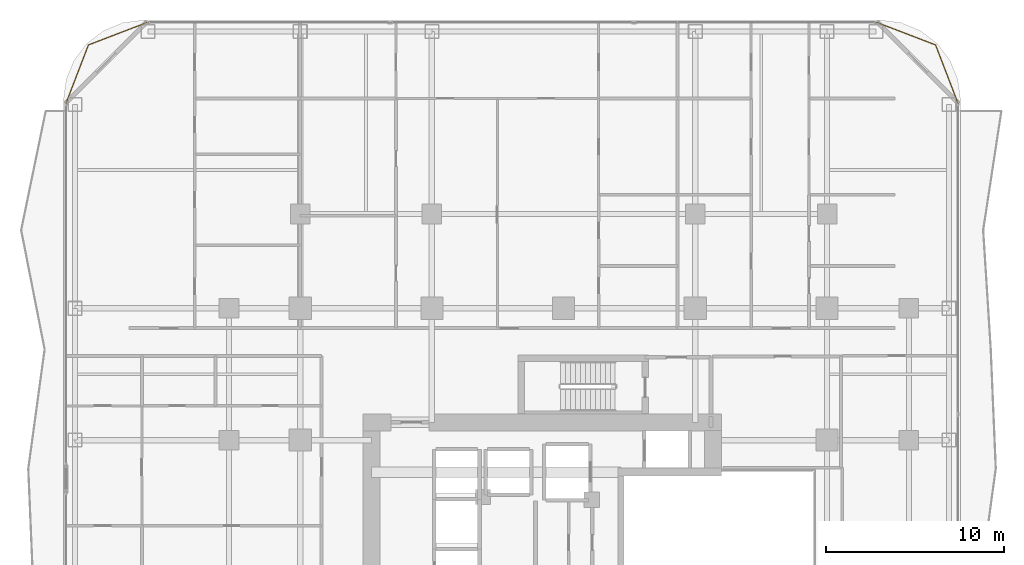
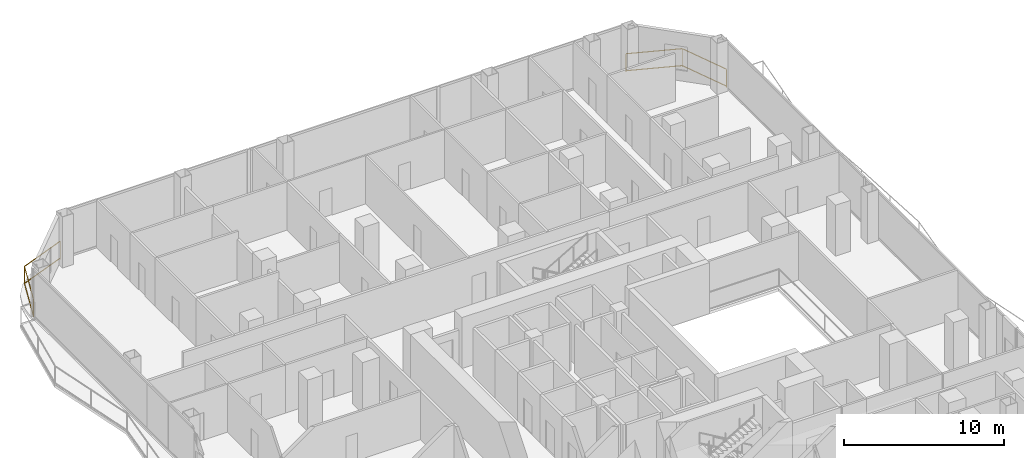
# One storey, part 28 of 28: 2 railings.
"""IFC4 building model written with IfcOpenShell, lengths in metres."""

from ifc_helpers import new_model, si_unit, direction, frame, origin, origin_2d, place, context, subcontext, project, spatial, rectangle, extrude, material, type_object, element, save


model = new_model("IFC4")

# Units and contexts
model_context = context("Model", 3, precision=1e-05, world=origin(), true_north=direction((0.0, 1.0)))
body_context = subcontext(model_context, "Body", "Model", "MODEL_VIEW")
ifc_project = project(units=[si_unit("LENGTHUNIT", "METRE"), si_unit("AREAUNIT", "SQUARE_METRE"), si_unit("VOLUMEUNIT", "CUBIC_METRE"), si_unit("PLANEANGLEUNIT", "RADIAN"), si_unit("MASSUNIT", "GRAM", prefix="KILO")], contexts=[model_context])

# Site, building, storey
site_placement = place(None, origin())
site = spatial("IfcSite", under=ifc_project, at=site_placement, CompositionType="ELEMENT")
building_placement = place(site_placement, origin())
building = spatial("IfcBuilding", under=site, at=building_placement, Name="Khorvyn Point Tower", CompositionType="ELEMENT")
storey_placement = place(building_placement, frame((0.0, 0.0, 100.800048828125)))
storey = spatial("IfcBuildingStorey", under=building, at=storey_placement, Name="L25", CompositionType="ELEMENT", Elevation=100.800048828125)

# Railings
ifc_material = material(Name="Anodised aluminium 6063-T6 and laminated safety glass", Category="aluminium")
railing_type = type_object("IfcRailingType", Name="Laminated Glass and Aluminium Balcony Guardrail 1400", PredefinedType="BALUSTRADE", material=ifc_material)
railing_1_placement = place(storey_placement, frame((-23.370849609375, 30.8740234375, 0.0)))
element("IfcRailing", 1, at=railing_1_placement, inside=storey, type_object=railing_type, Name="L25 Rounded Corner Edge Guardrail NW", PredefinedType="BALUSTRADE", context=body_context, shape_type="SweptSolid", body=[
    extrude(rectangle(XDim=0.048095703125, YDim=0.048095703125, at=origin_2d()), frame((0.0, 0.0, 1.3759765625), z_axis=(-0.933575007025, -0.358382067435, 0.0), x_axis=(0.358382067435, -0.933575007025, 0.0)), (0.0, 0.0, 1.0), 3.562744140625),
    extrude(rectangle(XDim=0.048095703125, YDim=0.048095703125, at=origin_2d()), frame((0.0, 0.0, 0.080078125), z_axis=(-0.933575007025, -0.358382067435, 0.0), x_axis=(0.358382067435, -0.933575007025, 0.0)), (0.0, 0.0, 1.0), 3.562744140625),
    extrude(rectangle(XDim=0.048095703125, YDim=0.048095703125, at=origin_2d()), frame((-3.326171875, -1.27685546875, 1.3759765625), z_axis=(-0.35841886047, -0.933560882031, 0.0), x_axis=(0.933560882031, -0.35841886047, 0.0)), (0.0, 0.0, 1.0), 3.563232421875),
    extrude(rectangle(XDim=0.048095703125, YDim=0.048095703125, at=origin_2d()), frame((-3.326171875, -1.27685546875, 0.080078125), z_axis=(-0.35841886047, -0.933560882031, 0.0), x_axis=(0.933560882031, -0.35841886047, 0.0)), (0.0, 0.0, 1.0), 3.563232421875),
    extrude(rectangle(XDim=0.0419921875, YDim=0.0419921875, at=origin_2d()), origin(), (0.0, 0.0, 1.0), 1.351806640625),
    extrude(rectangle(XDim=0.0419921875, YDim=0.0419921875, at=origin_2d()), frame((-3.326171875, -1.27685546875, 0.0)), (0.0, 0.0, 1.0), 1.351806640625),
    extrude(rectangle(XDim=0.0419921875, YDim=0.0419921875, at=origin_2d()), frame((-4.603271484375, -4.603271484375, 0.0)), (0.0, 0.0, 1.0), 1.351806640625),
])
railing_2_placement = place(storey_placement, frame((22.174072265625, 26.270751953125, 0.0)))
element("IfcRailing", 2, at=railing_2_placement, inside=storey, type_object=railing_type, Name="L25 Rounded Corner Edge Guardrail NE", PredefinedType="BALUSTRADE", context=body_context, shape_type="SweptSolid", body=[
    extrude(rectangle(XDim=0.048095703125, YDim=0.048095703125, at=origin_2d()), frame((0.0, 0.0, 1.3759765625), z_axis=(-0.358359142172, 0.933583807283, 0.0), x_axis=(-0.933583807283, -0.358359142172, 0.0)), (0.0, 0.0, 1.0), 3.56298828125),
    extrude(rectangle(XDim=0.048095703125, YDim=0.048095703125, at=origin_2d()), frame((0.0, 0.0, 0.080078125), z_axis=(-0.358359142172, 0.933583807283, 0.0), x_axis=(-0.933583807283, -0.358359142172, 0.0)), (0.0, 0.0, 1.0), 3.56298828125),
    extrude(rectangle(XDim=0.048095703125, YDim=0.048095703125, at=origin_2d()), frame((-1.27685546875, 3.326416015625, 1.3759765625), z_axis=(-0.933583807283, 0.358359142172, 0.0), x_axis=(-0.358359142172, -0.933583807283, 0.0)), (0.0, 0.0, 1.0), 3.56298828125),
    extrude(rectangle(XDim=0.048095703125, YDim=0.048095703125, at=origin_2d()), frame((-1.27685546875, 3.326416015625, 0.080078125), z_axis=(-0.933583807283, 0.358359142172, 0.0), x_axis=(-0.358359142172, -0.933583807283, 0.0)), (0.0, 0.0, 1.0), 3.56298828125),
    extrude(rectangle(XDim=0.0419921875, YDim=0.0419921875, at=origin_2d()), origin(), (0.0, 0.0, 1.0), 1.351806640625),
    extrude(rectangle(XDim=0.0419921875, YDim=0.0419921875, at=origin_2d()), frame((-1.27685546875, 3.326416015625, 0.0)), (0.0, 0.0, 1.0), 1.351806640625),
    extrude(rectangle(XDim=0.0419921875, YDim=0.0419921875, at=origin_2d()), frame((-4.603271484375, 4.603271484375, 0.0)), (0.0, 0.0, 1.0), 1.351806640625),
])

save(model, "model.ifc")
